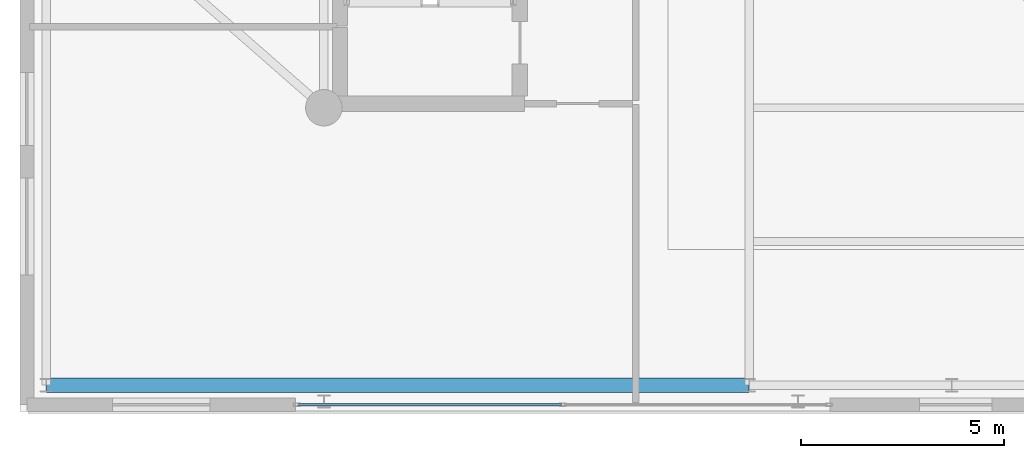
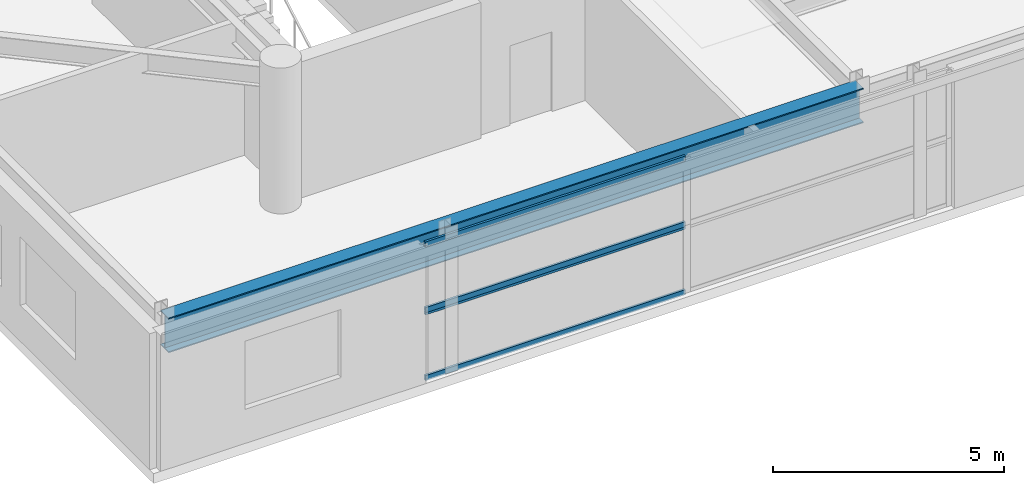
# One storey, part 7 of 26: 4 members, 1 beam, 2 elements without a shape of their own.
"""IFC4 building model written with IfcOpenShell, lengths in metres."""

import ifcopenshell
import ifcopenshell.guid

model = None  # the IFC model being written
_history = None  # IfcOwnerHistory: only IFC2X3 demands one
_inside = {}  # id of a spatial element -> (the spatial element, [elements in it])
_under = {}  # id of a project, library or spatial element -> (it, [spatial elements below it])
_declared = {}  # id of a project -> (the project, [libraries it declares])
_typed = {}  # id of a type object -> (the type object, [elements of that type])
_made_of = {}  # id of a material, layer set ... -> (it, [elements and type objects made of it])


def new_model(schema):
    """Start an empty IFC model of exactly this schema.

    Asked for "IFC4X3", IfcOpenShell would pick the latest addendum, in which some entities
    have other attributes; the version numbers below select the first issue.
    IFC2X3 requires an IfcOwnerHistory on every rooted entity: one is made here for all.
    """
    global model, _history
    if schema == "IFC4X3":
        model = ifcopenshell.file(schema_version=(4, 3, 0, 0))
    else:
        model = ifcopenshell.file(schema=schema)
    _inside.clear()
    _under.clear()
    _declared.clear()
    _typed.clear()
    _made_of.clear()
    _history = None
    if model.schema == "IFC2X3":
        org = make("IfcOrganization", Name="unknown")
        user = make(
            "IfcPersonAndOrganization",
            ThePerson=make("IfcPerson", FamilyName="unknown"),
            TheOrganization=org,
        )
        app = make(
            "IfcApplication",
            ApplicationDeveloper=org,
            Version="unknown",
            ApplicationFullName="unknown",
            ApplicationIdentifier="unknown",
        )
        _history = make(
            "IfcOwnerHistory",
            OwningUser=user,
            OwningApplication=app,
            ChangeAction="ADDED",
            CreationDate=0,
        )
    return model


def make(cls, **values):
    """One entity of the class cls with the attributes given. An attribute that is None is left unset."""
    return model.create_entity(
        cls, **{name: value for name, value in values.items() if value is not None}
    )


def rooted(cls, **values):
    """An entity with a GlobalId (a new one), such as an element, a storey or a relation."""
    return make(cls, GlobalId=ifcopenshell.guid.new(), OwnerHistory=_history, **values)


def si_unit(unit_type, name, prefix=None):
    """IfcSIUnit, for example si_unit("LENGTHUNIT", "METRE", prefix="MILLI")."""
    return make("IfcSIUnit", UnitType=unit_type, Prefix=prefix, Name=name)


def assignment(units):
    """IfcUnitAssignment: the units of a project."""
    return None if units is None else make("IfcUnitAssignment", Units=units)


def point(xyz):
    """IfcCartesianPoint."""
    return None if xyz is None else make("IfcCartesianPoint", Coordinates=xyz)


def direction(xyz):
    """IfcDirection."""
    return None if xyz is None else make("IfcDirection", DirectionRatios=xyz)


def frame(location, z_axis=None, x_axis=None):
    """IfcAxis2Placement3D, a coordinate frame: its origin and axes. An axis left out is left unset."""
    return make(
        "IfcAxis2Placement3D",
        Location=point(location),
        Axis=direction(z_axis),
        RefDirection=direction(x_axis),
    )


def frame_2d(location, x_axis=None):
    """IfcAxis2Placement2D, a coordinate frame in the plane: its origin and x axis."""
    return make(
        "IfcAxis2Placement2D", Location=point(location), RefDirection=direction(x_axis)
    )


def origin():
    """The frame at (0, 0, 0) with its axes left unset."""
    return frame((0.0, 0.0, 0.0))


def origin_2d():
    """The frame at (0, 0) in the plane with its x axis left unset."""
    return frame_2d((0.0, 0.0))


def place(relative_to, where):
    """IfcLocalPlacement: puts the frame where relative to a parent placement (None: the world)."""
    return make(
        "IfcLocalPlacement", PlacementRelTo=relative_to, RelativePlacement=where
    )


def context(
    kind, dimensions, precision=None, world=None, true_north=None, identifier=None
):
    """IfcGeometricRepresentationContext, for example the 3D "Model" context."""
    return make(
        "IfcGeometricRepresentationContext",
        ContextIdentifier=identifier,
        ContextType=kind,
        CoordinateSpaceDimension=dimensions,
        Precision=precision,
        WorldCoordinateSystem=world,
        TrueNorth=true_north,
    )


def subcontext(parent, identifier, kind, view, scale=None):
    """IfcGeometricRepresentationSubContext, for example "Body" below "Model"."""
    return make(
        "IfcGeometricRepresentationSubContext",
        ContextIdentifier=identifier,
        ContextType=kind,
        ParentContext=parent,
        TargetScale=scale,
        TargetView=view,
    )


def project(units=None, contexts=None):
    """IfcProject with its units and contexts."""
    return rooted(
        "IfcProject",
        Name="project",
        RepresentationContexts=contexts,
        UnitsInContext=assignment(units),
    )


def spatial(cls, under=None, at=None, **own):
    """A site, building, storey or space (cls), placed at a placement, below another one or the project."""
    s = rooted(cls, ObjectPlacement=at, **own)
    if under is not None:
        _under.setdefault(under.id(), (under, []))[1].append(s)
    return s


def profile(cls, at=None, kind="AREA", **sizes):
    """A parametric profile (cls). Its sizes go by their IFC names, for example OverallWidth=200.0."""
    return make(cls, ProfileType=kind, Position=at, **sizes)


def hollow_rectangle(**sizes):
    """IfcRectangleHollowProfileDef."""
    return profile("IfcRectangleHollowProfileDef", **sizes)


def i_section(**sizes):
    """IfcIShapeProfileDef."""
    return profile("IfcIShapeProfileDef", **sizes)


def extrude(swept, where, along, depth):
    """IfcExtrudedAreaSolid: the profile swept, set in the frame where, extruded along a direction by depth."""
    return make(
        "IfcExtrudedAreaSolid",
        SweptArea=swept,
        Position=where,
        ExtrudedDirection=direction(along),
        Depth=depth,
    )


def shape(context_of_items, identifier, shape_type, items):
    """IfcShapeRepresentation: the items that make up one representation, for example the "Body"."""
    return make(
        "IfcShapeRepresentation",
        ContextOfItems=context_of_items,
        RepresentationIdentifier=identifier,
        RepresentationType=shape_type,
        Items=items,
    )


def source(mapping_origin, context_of_items, identifier, shape_type, items):
    """IfcRepresentationMap: a shape defined once, which mapped items show again and again."""
    return make(
        "IfcRepresentationMap",
        MappingOrigin=mapping_origin,
        MappedRepresentation=shape(context_of_items, identifier, shape_type, items),
    )


def transform(
    local_origin,
    x_axis=None,
    y_axis=None,
    z_axis=None,
    scale=None,
    scale2=None,
    scale3=None,
    uniform=True,
):
    """IfcCartesianTransformationOperator3D, or its non-uniform kind. x_axis, y_axis, z_axis: its Axis1, 2, 3."""
    if uniform:
        return make(
            "IfcCartesianTransformationOperator3D",
            Axis1=direction(x_axis),
            Axis2=direction(y_axis),
            LocalOrigin=point(local_origin),
            Scale=scale,
            Axis3=direction(z_axis),
        )
    return make(
        "IfcCartesianTransformationOperator3DnonUniform",
        Axis1=direction(x_axis),
        Axis2=direction(y_axis),
        LocalOrigin=point(local_origin),
        Scale=scale,
        Axis3=direction(z_axis),
        Scale2=scale2,
        Scale3=scale3,
    )


def mapped(mapping_source, mapping_target):
    """IfcMappedItem: shows the shape of a source again, moved by a transform."""
    return make(
        "IfcMappedItem", MappingSource=mapping_source, MappingTarget=mapping_target
    )


def material(Name=None, Category=None):
    """IfcMaterial."""
    return make("IfcMaterial", Name=Name, Category=Category)


def layer(
    of_material, thickness, ventilated=None, Name=None, Category=None, Priority=None
):
    """IfcMaterialLayer: one layer of a wall or slab, of a material (None: an air gap)."""
    return make(
        "IfcMaterialLayer",
        Material=of_material,
        LayerThickness=thickness,
        IsVentilated=ventilated,
        Name=Name,
        Category=Category,
        Priority=Priority,
    )


def layer_set(layers, Name=None):
    """IfcMaterialLayerSet."""
    return make("IfcMaterialLayerSet", MaterialLayers=layers, LayerSetName=Name)


def material_profile(
    of_material, cross_section, Name=None, Category=None, Priority=None
):
    """IfcMaterialProfile: a cross section and its material."""
    return make(
        "IfcMaterialProfile",
        Name=Name,
        Material=of_material,
        Profile=cross_section,
        Priority=Priority,
        Category=Category,
    )


def profile_set(profiles, Name=None, composite=None):
    """IfcMaterialProfileSet."""
    return make(
        "IfcMaterialProfileSet",
        Name=Name,
        MaterialProfiles=profiles,
        CompositeProfile=composite,
    )


def made_of(thing, what):
    """Note that an element or type object is made of a material, layer set ...; save() writes the relation."""
    if what is not None:
        _made_of.setdefault(what.id(), (what, []))[1].append(thing)
    return thing


def type_object(cls, material=None, **own):
    """A type object (cls), such as IfcWallType, which elements share."""
    return made_of(rooted(cls, **own), material)


def element(
    cls,
    number,
    at=None,
    inside=None,
    cuts=None,
    type_object=None,
    material=None,
    context=None,
    identifier="Body",
    shape_type=None,
    held_by="IfcProductDefinitionShape",
    body=None,
    shapes=None,
    **own,
):
    """One element of the class cls, such as IfcWall. Its Tag is "e" and its number.

    at: its placement. inside: the storey or other place that contains it. cuts: it is an
    opening in that element (IfcRelVoidsElement). A single representation is given by context,
    identifier, shape_type and body (its items); several are given by shapes. held_by: the class
    of the entity that holds the representations. save() writes the other relations.
    """
    e = rooted(cls, Tag="e%d" % number, ObjectPlacement=at, **own)
    if body is not None:
        shapes = [shape(context, identifier, shape_type, body)]
    if shapes is not None:
        e.Representation = make(held_by, Representations=shapes)
    if inside is not None:
        _inside.setdefault(inside.id(), (inside, []))[1].append(e)
    if cuts is not None:
        rooted(
            "IfcRelVoidsElement", RelatingBuildingElement=cuts, RelatedOpeningElement=e
        )
    if type_object is not None:
        _typed.setdefault(type_object.id(), (type_object, []))[1].append(e)
    return made_of(e, material)


def aggregate(whole, parts):
    """IfcRelAggregates: a whole, such as a stair, and the parts it consists of."""
    return rooted("IfcRelAggregates", RelatingObject=whole, RelatedObjects=parts)


def save(model, path):
    """Write the relations noted so far, then the file.

    IfcRelAggregates (storeys below a building ...), IfcRelContainedInSpatialStructure (elements
    in a storey), IfcRelDefinesByType, IfcRelAssociatesMaterial and IfcRelDeclares: one each for
    every whole, place, type object, material and project.
    """
    for whole, parts in _under.values():
        aggregate(whole, parts)
    for where, things in _inside.values():
        rooted(
            "IfcRelContainedInSpatialStructure",
            RelatedElements=things,
            RelatingStructure=where,
        )
    for kind, things in _typed.values():
        rooted("IfcRelDefinesByType", RelatedObjects=things, RelatingType=kind)
    for what, things in _made_of.values():
        rooted("IfcRelAssociatesMaterial", RelatedObjects=things, RelatingMaterial=what)
    for by, libraries in _declared.values():
        rooted("IfcRelDeclares", RelatingContext=by, RelatedDefinitions=libraries)
    model.write(path)


model = new_model("IFC4")

# Units and contexts
model_context = context("Model", 3, precision=1e-05, world=origin(), true_north=direction((0.0, 1.0)))
body_context = subcontext(model_context, "Body", "Model", "MODEL_VIEW")
ifc_project = project(units=[si_unit("LENGTHUNIT", "METRE"), si_unit("AREAUNIT", "SQUARE_METRE"), si_unit("VOLUMEUNIT", "CUBIC_METRE"), si_unit("PLANEANGLEUNIT", "RADIAN"), si_unit("MASSUNIT", "GRAM", prefix="KILO")], contexts=[model_context])

# Site, building, storey
site_placement = place(None, origin())
site = spatial("IfcSite", under=ifc_project, at=site_placement, CompositionType="ELEMENT")
building_placement = place(site_placement, origin())
building = spatial("IfcBuilding", under=site, at=building_placement, Name="Taldren Reach Tower", CompositionType="ELEMENT")
storey_placement = place(building_placement, frame((0.0, 0.0, 4.550048828125)))
storey = spatial("IfcBuildingStorey", under=building, at=storey_placement, Name="L01", CompositionType="ELEMENT", Elevation=4.550048828125)

# Beam
ifc_material_1 = material(Name="Steel Gr 350 (350PLUS)", Category="steel")
ifc_material_profile_1 = material_profile(ifc_material_1, i_section(OverallWidth=0.35009765625, OverallDepth=0.916015625, WebThickness=0.013916015625, FlangeThickness=0.028076171875, at=origin_2d()), Name="900WB257")
ifc_profile_set_1 = profile_set([ifc_material_profile_1], Name="Steel Gr 350 (350PLUS)")
beam_type = type_object("IfcBeamType", Name="BM-WB900", PredefinedType="BEAM", material=ifc_profile_set_1)
shared_shape_1 = source(origin(), body_context, "Body", "SweptSolid", [
    extrude(i_section(OverallWidth=0.35009765625, OverallDepth=0.916015625, WebThickness=0.013916015625, FlangeThickness=0.028076171875, at=origin_2d()), origin(), (0.0, 0.0, 1.0), 17.35009765625),
])
beam_placement = place(storey_placement, frame((0.64990234375, 0.64990234375, 3.1318359375), z_axis=(1.0, 0.0, 0.0), x_axis=(0.0, 1.0, 0.0)))
element("IfcBeam", 1, at=beam_placement, inside=storey, type_object=beam_type, Name="Podium girder L01-PD01", PredefinedType="BEAM", context=body_context, shape_type="MappedRepresentation", body=[
    mapped(shared_shape_1, transform((0.0, 0.0, 0.0), scale=1.0)),
])

# Curtain wall, members
ifc_material_2 = material(Name="Aluminium and Low-E Glass Unitised System", Category="aluminium")
ifc_layer = layer(ifc_material_2, 0.159912109375)
ifc_layer_set = layer_set([ifc_layer], Name="Aluminium and Low-E Glass Unitised System")
curtain_wall_type = type_object("IfcCurtainWallType", Name="CW-SYS-1", PredefinedType="NOTDEFINED", material=ifc_layer_set)
curtain_wall_1_placement = place(storey_placement, origin())
curtain_wall_1 = element("IfcCurtainWall", 2, at=curtain_wall_1_placement, inside=storey, type_object=curtain_wall_type, Name="Unitised curtain wall CW1-L01-S1", PredefinedType="NOTDEFINED")
ifc_material_3 = material(Name="Anodised Aluminium 6063-T6", Category="aluminium")
ifc_material_profile_2 = material_profile(ifc_material_3, hollow_rectangle(XDim=0.06005859375, YDim=0.135009765625, WallThickness=0.00341796875, at=origin_2d()), Name="ALU-135x60x3.5RHS")
ifc_profile_set_2 = profile_set([ifc_material_profile_2], Name="Anodised Aluminium 6063-T6")
member_type = type_object("IfcMemberType", Name="CW-TRN-150", PredefinedType="USERDEFINED", material=ifc_profile_set_2)
shared_shape_2 = source(origin(), body_context, "Body", "SweptSolid", [
    extrude(hollow_rectangle(XDim=0.06005859375, YDim=0.135009765625, WallThickness=0.00341796875, at=origin_2d()), origin(), (0.0, 0.0, 1.0), 6.494873046875),
])
member_1_placement = place(storey_placement, frame((6.8701171875, 0.169921875, 0.030029296875), z_axis=(1.0, 0.0, 0.0), x_axis=(0.0, 1.0, 0.0)))
member_1 = element("IfcMember", 3, at=member_1_placement, type_object=member_type, Name="CW-1 transom 1.1", ObjectType="TRANSOM", PredefinedType="USERDEFINED", context=body_context, shape_type="MappedRepresentation", body=[
    mapped(shared_shape_2, transform((0.0, 0.0, 0.0), scale=1.0)),
])
member_2_placement = place(storey_placement, frame((6.8701171875, 0.169921875, 1.764892578125), z_axis=(1.0, 0.0, 0.0), x_axis=(0.0, 1.0, 0.0)))
member_2 = element("IfcMember", 4, at=member_2_placement, type_object=member_type, Name="CW-1 transom 1.2", ObjectType="TRANSOM", PredefinedType="USERDEFINED", context=body_context, shape_type="MappedRepresentation", body=[
    mapped(shared_shape_2, transform((0.0, 0.0, 0.0), scale=1.0)),
])
aggregate(curtain_wall_1, [member_1, member_2])

curtain_wall_2_placement = place(storey_placement, origin())
curtain_wall_2 = element("IfcCurtainWall", 5, at=curtain_wall_2_placement, inside=storey, type_object=curtain_wall_type, Name="Unitised curtain wall CW1-L01-S1-T2", PredefinedType="NOTDEFINED")
member_3_placement = place(storey_placement, frame((6.8701171875, 0.169921875, 1.824951171875), z_axis=(1.0, 0.0, 0.0), x_axis=(0.0, 1.0, 0.0)))
member_3 = element("IfcMember", 6, at=member_3_placement, type_object=member_type, Name="CW-1 transom 1.1", ObjectType="TRANSOM", PredefinedType="USERDEFINED", context=body_context, shape_type="MappedRepresentation", body=[
    mapped(shared_shape_2, transform((0.0, 0.0, 0.0), scale=1.0)),
])
member_4_placement = place(storey_placement, frame((6.8701171875, 0.169921875, 3.56005859375), z_axis=(1.0, 0.0, 0.0), x_axis=(0.0, 1.0, 0.0)))
member_4 = element("IfcMember", 7, at=member_4_placement, type_object=member_type, Name="CW-1 transom 1.2", ObjectType="TRANSOM", PredefinedType="USERDEFINED", context=body_context, shape_type="MappedRepresentation", body=[
    mapped(shared_shape_2, transform((0.0, 0.0, 0.0), scale=1.0)),
])
aggregate(curtain_wall_2, [member_3, member_4])

save(model, "model.ifc")
